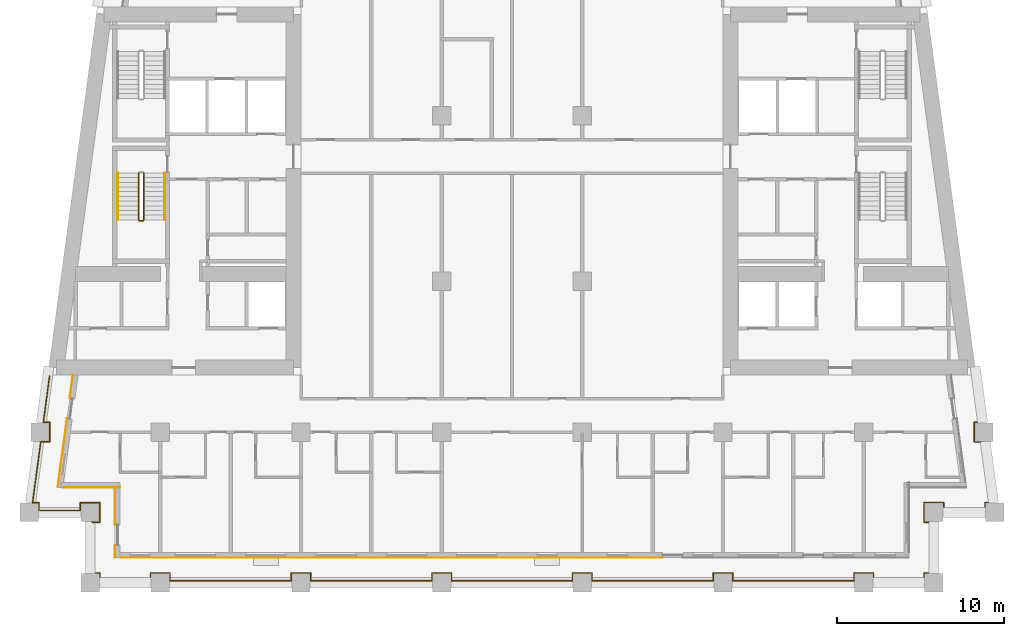
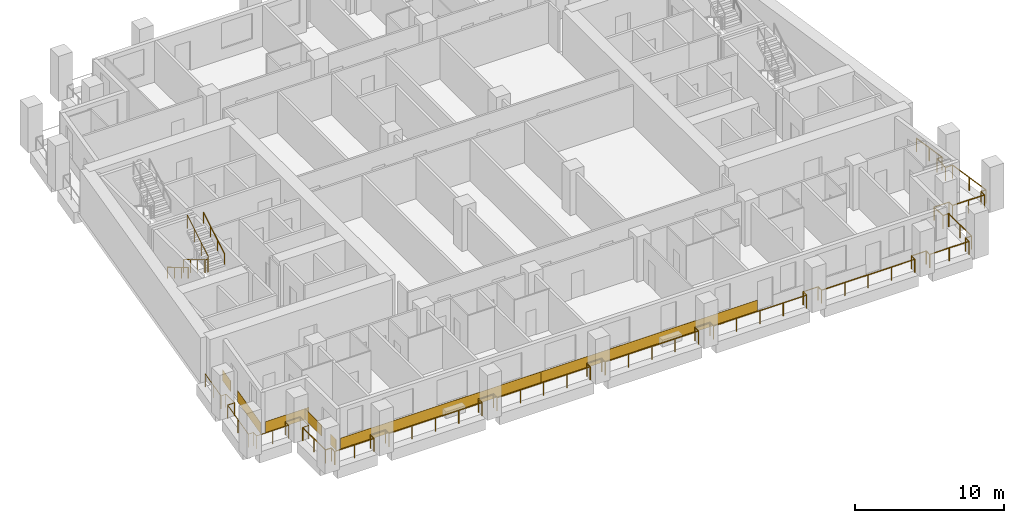
# One storey, part 10 of 14: 7 coverings, 5 railings.
"""IFC4 building model written with IfcOpenShell, lengths in metres."""

from ifc_helpers import new_model, si_unit, direction, frame, origin, origin_2d, place, context, subcontext, project, spatial, rectangle, circle, extrude, material, layer, layer_set, type_object, element, save


model = new_model("IFC4")

# Units and contexts
model_context = context("Model", 3, precision=1e-05, world=origin(), true_north=direction((0.0, 1.0)))
body_context = subcontext(model_context, "Body", "Model", "MODEL_VIEW")
ifc_project = project(units=[si_unit("LENGTHUNIT", "METRE"), si_unit("AREAUNIT", "SQUARE_METRE"), si_unit("VOLUMEUNIT", "CUBIC_METRE"), si_unit("PLANEANGLEUNIT", "RADIAN"), si_unit("MASSUNIT", "GRAM", prefix="KILO")], contexts=[model_context])

# Site, building, storey
site_placement = place(None, origin())
site = spatial("IfcSite", under=ifc_project, at=site_placement, CompositionType="ELEMENT")
building_placement = place(site_placement, origin())
building = spatial("IfcBuilding", under=site, at=building_placement, Name="Candeia Pilgrim Tower and Theatre", CompositionType="ELEMENT")
storey_placement = place(building_placement, frame((0.0, 0.0, 173.699951171875)))
storey = spatial("IfcBuildingStorey", under=building, at=storey_placement, Name="L41", CompositionType="ELEMENT", Elevation=173.699951171875)

# Railings
ifc_material_1 = material(Name="Stainless steel balustrade", Category="steel")
railing_type_1 = type_object("IfcRailingType", Name="G1 loggia guard 1100", PredefinedType="GUARDRAIL", material=ifc_material_1)
railing_1_placement = place(storey_placement, frame((88.320068359375, 101.6201171875, 0.0)))
element("IfcRailing", 1, at=railing_1_placement, inside=storey, type_object=railing_type_1, Name="Guard L41.1", PredefinedType="GUARDRAIL", context=body_context, shape_type="SweptSolid", body=[
    extrude(circle(Radius=0.02392578125, at=origin_2d()), frame((0.0, 0.0, 1.076171875), z_axis=(1.0, 0.0, 0.0), x_axis=(0.0, 1.0, 0.0)), (0.0, 0.0, 1.0), 0.4599609375),
    extrude(circle(Radius=0.02392578125, at=origin_2d()), frame((0.4599609375, 0.0, 1.076171875), z_axis=(0.0, 1.0, 0.0), x_axis=(-1.0, 0.0, 0.0)), (0.0, 0.0, 1.0), 1.159912109375),
    extrude(circle(Radius=0.02392578125, at=origin_2d()), frame((0.4599609375, 1.159912109375, 1.076171875), z_axis=(-1.0, 0.0, 0.0), x_axis=(0.0, -1.0, 0.0)), (0.0, 0.0, 1.0), 1.159912109375),
    extrude(circle(Radius=0.02392578125, at=origin_2d()), frame((-0.699951171875, 1.159912109375, 1.076171875), z_axis=(0.0, -1.0, 0.0), x_axis=(1.0, 0.0, 0.0)), (0.0, 0.0, 1.0), 0.4599609375),
    extrude(circle(Radius=0.02392578125, at=origin_2d()), frame((-0.699951171875, 0.699951171875, 1.076171875), z_axis=(-1.0, 0.0, 0.0), x_axis=(0.0, -1.0, 0.0)), (0.0, 0.0, 1.0), 2.474853515625),
    extrude(circle(Radius=0.02392578125, at=origin_2d()), frame((-3.1748046875, 0.699951171875, 1.076171875), z_axis=(0.0, 1.0, 0.0), x_axis=(-1.0, 0.0, 0.0)), (0.0, 0.0, 1.0), 0.4599609375),
    extrude(circle(Radius=0.02392578125, at=origin_2d()), frame((-3.1748046875, 1.159912109375, 1.076171875), z_axis=(-1.0, 0.0, 0.0), x_axis=(0.0, -1.0, 0.0)), (0.0, 0.0, 1.0), 0.380615234375),
    extrude(circle(Radius=0.02392578125, at=origin_2d()), frame((-3.555419921875, 1.159912109375, 1.076171875), z_axis=(0.133413267734, 0.9910604926, 0.0), x_axis=(-0.9910604926, 0.133413267734, 0.0)), (0.0, 0.0, 1.0), 3.672607421875),
    extrude(circle(Radius=0.02392578125, at=origin_2d()), frame((-3.0654296875, 4.7998046875, 1.076171875), z_axis=(1.0, 0.0, 0.0), x_axis=(0.0, 1.0, 0.0)), (0.0, 0.0, 1.0), 0.536865234375),
    extrude(circle(Radius=0.02392578125, at=origin_2d()), frame((-2.528564453125, 4.7998046875, 1.076171875), z_axis=(0.0, 1.0, 0.0), x_axis=(-1.0, 0.0, 0.0)), (0.0, 0.0, 1.0), 1.16015625),
    extrude(circle(Radius=0.02392578125, at=origin_2d()), frame((-2.528564453125, 5.9599609375, 1.076171875), z_axis=(-1.0, 0.0, 0.0), x_axis=(0.0, -1.0, 0.0)), (0.0, 0.0, 1.0), 0.380859375),
    extrude(circle(Radius=0.02392578125, at=origin_2d()), frame((-2.909423828125, 5.9599609375, 1.076171875), z_axis=(0.133468107709, 0.99105310868, 0.0), x_axis=(-0.99105310868, 0.133468107709, 0.0)), (0.0, 0.0, 1.0), 2.794921875),
    extrude(circle(Radius=0.02099609375, at=origin_2d()), origin(), (0.0, 0.0, 1.0), 1.052001953125),
    extrude(circle(Radius=0.02099609375, at=origin_2d()), frame((0.4599609375, 0.0, 0.0)), (0.0, 0.0, 1.0), 1.052001953125),
    extrude(circle(Radius=0.02099609375, at=origin_2d()), frame((0.4599609375, 1.159912109375, 0.0)), (0.0, 0.0, 1.0), 1.052001953125),
    extrude(circle(Radius=0.02099609375, at=origin_2d()), frame((-0.699951171875, 1.159912109375, 0.0)), (0.0, 0.0, 1.0), 1.052001953125),
    extrude(circle(Radius=0.02099609375, at=origin_2d()), frame((-0.699951171875, 0.699951171875, 0.0)), (0.0, 0.0, 1.0), 1.052001953125),
    extrude(circle(Radius=0.02099609375, at=origin_2d()), frame((-1.9375, 0.699951171875, 0.0)), (0.0, 0.0, 1.0), 1.052001953125),
    extrude(circle(Radius=0.02099609375, at=origin_2d()), frame((-3.1748046875, 0.699951171875, 0.0)), (0.0, 0.0, 1.0), 1.052001953125),
    extrude(circle(Radius=0.02099609375, at=origin_2d()), frame((-3.1748046875, 1.159912109375, 0.0)), (0.0, 0.0, 1.0), 1.052001953125),
    extrude(circle(Radius=0.02099609375, at=origin_2d()), frame((-3.555419921875, 1.159912109375, 0.0)), (0.0, 0.0, 1.0), 1.052001953125),
    extrude(circle(Radius=0.02099609375, at=origin_2d()), frame((-3.310546875, 2.97998046875, 0.0)), (0.0, 0.0, 1.0), 1.052001953125),
    extrude(circle(Radius=0.02099609375, at=origin_2d()), frame((-3.0654296875, 4.7998046875, 0.0)), (0.0, 0.0, 1.0), 1.052001953125),
    extrude(circle(Radius=0.02099609375, at=origin_2d()), frame((-2.528564453125, 4.7998046875, 0.0)), (0.0, 0.0, 1.0), 1.052001953125),
    extrude(circle(Radius=0.02099609375, at=origin_2d()), frame((-2.528564453125, 5.9599609375, 0.0)), (0.0, 0.0, 1.0), 1.052001953125),
    extrude(circle(Radius=0.02099609375, at=origin_2d()), frame((-2.909423828125, 5.9599609375, 0.0)), (0.0, 0.0, 1.0), 1.052001953125),
    extrude(circle(Radius=0.02099609375, at=origin_2d()), frame((-2.722900390625, 7.344970703125, 0.0)), (0.0, 0.0, 1.0), 1.052001953125),
    extrude(circle(Radius=0.02099609375, at=origin_2d()), frame((-2.536376953125, 8.72998046875, 0.0)), (0.0, 0.0, 1.0), 1.052001953125),
])
railing_2_placement = place(storey_placement, frame((141.016357421875, 110.35009765625, 0.0)))
element("IfcRailing", 2, at=railing_2_placement, inside=storey, type_object=railing_type_1, Name="Guard L41.4", PredefinedType="GUARDRAIL", context=body_context, shape_type="SweptSolid", body=[
    extrude(circle(Radius=0.02392578125, at=origin_2d()), frame((0.0, 0.0, 1.076171875), z_axis=(0.133468107709, -0.99105310868, 0.0), x_axis=(0.99105310868, 0.133468107709, 0.0)), (0.0, 0.0, 1.0), 2.794921875),
    extrude(circle(Radius=0.02392578125, at=origin_2d()), frame((0.373046875, -2.77001953125, 1.076171875), z_axis=(-1.0, 0.0, 0.0), x_axis=(0.0, -1.0, 0.0)), (0.0, 0.0, 1.0), 0.380859375),
    extrude(circle(Radius=0.02392578125, at=origin_2d()), frame((-0.0078125, -2.77001953125, 1.076171875), z_axis=(0.0, -1.0, 0.0), x_axis=(1.0, 0.0, 0.0)), (0.0, 0.0, 1.0), 1.16015625),
    extrude(circle(Radius=0.02392578125, at=origin_2d()), frame((-0.0078125, -3.93017578125, 1.076171875), z_axis=(1.0, 0.0, 0.0), x_axis=(0.0, 1.0, 0.0)), (0.0, 0.0, 1.0), 0.536865234375),
    extrude(circle(Radius=0.02392578125, at=origin_2d()), frame((0.529052734375, -3.93017578125, 1.076171875), z_axis=(0.133413267734, -0.9910604926, 0.0), x_axis=(0.9910604926, 0.133413267734, 0.0)), (0.0, 0.0, 1.0), 3.672607421875),
    extrude(circle(Radius=0.02392578125, at=origin_2d()), frame((1.01904296875, -7.570068359375, 1.076171875), z_axis=(-1.0, 0.0, 0.0), x_axis=(0.0, -1.0, 0.0)), (0.0, 0.0, 1.0), 0.380859375),
    extrude(circle(Radius=0.02392578125, at=origin_2d()), frame((0.63818359375, -7.570068359375, 1.076171875), z_axis=(0.0, -1.0, 0.0), x_axis=(1.0, 0.0, 0.0)), (0.0, 0.0, 1.0), 0.4599609375),
    extrude(circle(Radius=0.02392578125, at=origin_2d()), frame((0.63818359375, -8.030029296875, 1.076171875), z_axis=(-1.0, 0.0, 0.0), x_axis=(0.0, -1.0, 0.0)), (0.0, 0.0, 1.0), 2.474609375),
    extrude(circle(Radius=0.02392578125, at=origin_2d()), frame((-1.83642578125, -8.030029296875, 1.076171875), z_axis=(0.0, 1.0, 0.0), x_axis=(-1.0, 0.0, 0.0)), (0.0, 0.0, 1.0), 0.4599609375),
    extrude(circle(Radius=0.02392578125, at=origin_2d()), frame((-1.83642578125, -7.570068359375, 1.076171875), z_axis=(-1.0, 0.0, 0.0), x_axis=(0.0, -1.0, 0.0)), (0.0, 0.0, 1.0), 1.159912109375),
    extrude(circle(Radius=0.02392578125, at=origin_2d()), frame((-2.996337890625, -7.570068359375, 1.076171875), z_axis=(0.0, -1.0, 0.0), x_axis=(1.0, 0.0, 0.0)), (0.0, 0.0, 1.0), 1.159912109375),
    extrude(circle(Radius=0.02392578125, at=origin_2d()), frame((-2.996337890625, -8.72998046875, 1.076171875), z_axis=(1.0, 0.0, 0.0), x_axis=(0.0, 1.0, 0.0)), (0.0, 0.0, 1.0), 0.4599609375),
    extrude(circle(Radius=0.02392578125, at=origin_2d()), frame((-2.536376953125, -8.72998046875, 1.076171875), z_axis=(0.0, -1.0, 0.0), x_axis=(1.0, 0.0, 0.0)), (0.0, 0.0, 1.0), 3.0400390625),
    extrude(circle(Radius=0.02392578125, at=origin_2d()), frame((-2.536376953125, -11.77001953125, 1.076171875), z_axis=(-1.0, 0.0, 0.0), x_axis=(0.0, -1.0, 0.0)), (0.0, 0.0, 1.0), 0.4599609375),
    extrude(circle(Radius=0.02392578125, at=origin_2d()), frame((-2.996337890625, -11.77001953125, 1.076171875), z_axis=(0.0, -1.0, 0.0), x_axis=(1.0, 0.0, 0.0)), (0.0, 0.0, 1.0), 0.4599609375),
    extrude(circle(Radius=0.02392578125, at=origin_2d()), frame((-2.996337890625, -12.22998046875, 1.076171875), z_axis=(-1.0, 0.0, 0.0), x_axis=(0.0, -1.0, 0.0)), (0.0, 0.0, 1.0), 3.0400390625),
    extrude(circle(Radius=0.02392578125, at=origin_2d()), frame((-6.036376953125, -12.22998046875, 1.076171875), z_axis=(0.0, 1.0, 0.0), x_axis=(-1.0, 0.0, 0.0)), (0.0, 0.0, 1.0), 0.4599609375),
    extrude(circle(Radius=0.02392578125, at=origin_2d()), frame((-6.036376953125, -11.77001953125, 1.076171875), z_axis=(-1.0, 0.0, 0.0), x_axis=(0.0, -1.0, 0.0)), (0.0, 0.0, 1.0), 1.159912109375),
    extrude(circle(Radius=0.02392578125, at=origin_2d()), frame((-7.1962890625, -11.77001953125, 1.076171875), z_axis=(0.0, -1.0, 0.0), x_axis=(1.0, 0.0, 0.0)), (0.0, 0.0, 1.0), 0.4599609375),
    extrude(circle(Radius=0.02392578125, at=origin_2d()), frame((-7.1962890625, -12.22998046875, 1.076171875), z_axis=(-1.0, 0.0, 0.0), x_axis=(0.0, -1.0, 0.0)), (0.0, 0.0, 1.0), 7.239990234375),
    extrude(circle(Radius=0.02392578125, at=origin_2d()), frame((-14.436279296875, -12.22998046875, 1.076171875), z_axis=(0.0, 1.0, 0.0), x_axis=(-1.0, 0.0, 0.0)), (0.0, 0.0, 1.0), 0.4599609375),
    extrude(circle(Radius=0.02392578125, at=origin_2d()), frame((-14.436279296875, -11.77001953125, 1.076171875), z_axis=(-1.0, 0.0, 0.0), x_axis=(0.0, -1.0, 0.0)), (0.0, 0.0, 1.0), 1.16015625),
    extrude(circle(Radius=0.02392578125, at=origin_2d()), frame((-15.596435546875, -11.77001953125, 1.076171875), z_axis=(0.0, -1.0, 0.0), x_axis=(1.0, 0.0, 0.0)), (0.0, 0.0, 1.0), 0.4599609375),
    extrude(circle(Radius=0.02392578125, at=origin_2d()), frame((-15.596435546875, -12.22998046875, 1.076171875), z_axis=(-1.0, 0.0, 0.0), x_axis=(0.0, -1.0, 0.0)), (0.0, 0.0, 1.0), 7.239990234375),
    extrude(circle(Radius=0.02392578125, at=origin_2d()), frame((-22.83642578125, -12.22998046875, 1.076171875), z_axis=(0.0, 1.0, 0.0), x_axis=(-1.0, 0.0, 0.0)), (0.0, 0.0, 1.0), 0.4599609375),
    extrude(circle(Radius=0.02392578125, at=origin_2d()), frame((-22.83642578125, -11.77001953125, 1.076171875), z_axis=(-1.0, 0.0, 0.0), x_axis=(0.0, -1.0, 0.0)), (0.0, 0.0, 1.0), 1.159912109375),
    extrude(circle(Radius=0.02392578125, at=origin_2d()), frame((-23.996337890625, -11.77001953125, 1.076171875), z_axis=(0.0, -1.0, 0.0), x_axis=(1.0, 0.0, 0.0)), (0.0, 0.0, 1.0), 0.4599609375),
    extrude(circle(Radius=0.02392578125, at=origin_2d()), frame((-23.996337890625, -12.22998046875, 1.076171875), z_axis=(-1.0, 0.0, 0.0), x_axis=(0.0, -1.0, 0.0)), (0.0, 0.0, 1.0), 7.239990234375),
    extrude(circle(Radius=0.02392578125, at=origin_2d()), frame((-31.236328125, -12.22998046875, 1.076171875), z_axis=(0.0, 1.0, 0.0), x_axis=(-1.0, 0.0, 0.0)), (0.0, 0.0, 1.0), 0.4599609375),
    extrude(circle(Radius=0.02392578125, at=origin_2d()), frame((-31.236328125, -11.77001953125, 1.076171875), z_axis=(-1.0, 0.0, 0.0), x_axis=(0.0, -1.0, 0.0)), (0.0, 0.0, 1.0), 1.159912109375),
    extrude(circle(Radius=0.02392578125, at=origin_2d()), frame((-32.396240234375, -11.77001953125, 1.076171875), z_axis=(0.0, -1.0, 0.0), x_axis=(1.0, 0.0, 0.0)), (0.0, 0.0, 1.0), 0.4599609375),
    extrude(circle(Radius=0.02392578125, at=origin_2d()), frame((-32.396240234375, -12.22998046875, 1.076171875), z_axis=(-1.0, 0.0, 0.0), x_axis=(0.0, -1.0, 0.0)), (0.0, 0.0, 1.0), 7.240234375),
    extrude(circle(Radius=0.02392578125, at=origin_2d()), frame((-39.636474609375, -12.22998046875, 1.076171875), z_axis=(0.0, 1.0, 0.0), x_axis=(-1.0, 0.0, 0.0)), (0.0, 0.0, 1.0), 0.4599609375),
    extrude(circle(Radius=0.02392578125, at=origin_2d()), frame((-39.636474609375, -11.77001953125, 1.076171875), z_axis=(-1.0, 0.0, 0.0), x_axis=(0.0, -1.0, 0.0)), (0.0, 0.0, 1.0), 1.159912109375),
    extrude(circle(Radius=0.02392578125, at=origin_2d()), frame((-40.79638671875, -11.77001953125, 1.076171875), z_axis=(0.0, -1.0, 0.0), x_axis=(1.0, 0.0, 0.0)), (0.0, 0.0, 1.0), 0.4599609375),
    extrude(circle(Radius=0.02392578125, at=origin_2d()), frame((-40.79638671875, -12.22998046875, 1.076171875), z_axis=(-1.0, 0.0, 0.0), x_axis=(0.0, -1.0, 0.0)), (0.0, 0.0, 1.0), 7.239990234375),
    extrude(circle(Radius=0.02392578125, at=origin_2d()), frame((-48.036376953125, -12.22998046875, 1.076171875), z_axis=(0.0, 1.0, 0.0), x_axis=(-1.0, 0.0, 0.0)), (0.0, 0.0, 1.0), 0.4599609375),
    extrude(circle(Radius=0.02392578125, at=origin_2d()), frame((-48.036376953125, -11.77001953125, 1.076171875), z_axis=(-1.0, 0.0, 0.0), x_axis=(0.0, -1.0, 0.0)), (0.0, 0.0, 1.0), 1.159912109375),
    extrude(circle(Radius=0.02392578125, at=origin_2d()), frame((-49.1962890625, -11.77001953125, 1.076171875), z_axis=(0.0, -1.0, 0.0), x_axis=(1.0, 0.0, 0.0)), (0.0, 0.0, 1.0), 0.4599609375),
    extrude(circle(Radius=0.02392578125, at=origin_2d()), frame((-49.1962890625, -12.22998046875, 1.076171875), z_axis=(-1.0, 0.0, 0.0), x_axis=(0.0, -1.0, 0.0)), (0.0, 0.0, 1.0), 3.0400390625),
    extrude(circle(Radius=0.02392578125, at=origin_2d()), frame((-52.236328125, -12.22998046875, 1.076171875), z_axis=(0.0, 1.0, 0.0), x_axis=(-1.0, 0.0, 0.0)), (0.0, 0.0, 1.0), 0.4599609375),
    extrude(circle(Radius=0.02392578125, at=origin_2d()), frame((-52.236328125, -11.77001953125, 1.076171875), z_axis=(-1.0, 0.0, 0.0), x_axis=(0.0, -1.0, 0.0)), (0.0, 0.0, 1.0), 0.4599609375),
    extrude(circle(Radius=0.02392578125, at=origin_2d()), frame((-52.6962890625, -11.77001953125, 1.076171875), z_axis=(0.0, 1.0, 0.0), x_axis=(-1.0, 0.0, 0.0)), (0.0, 0.0, 1.0), 3.0400390625),
    extrude(circle(Radius=0.02099609375, at=origin_2d()), origin(), (0.0, 0.0, 1.0), 1.052001953125),
    extrude(circle(Radius=0.02099609375, at=origin_2d()), frame((0.1865234375, -1.385009765625, 0.0)), (0.0, 0.0, 1.0), 1.052001953125),
    extrude(circle(Radius=0.02099609375, at=origin_2d()), frame((0.373046875, -2.77001953125, 0.0)), (0.0, 0.0, 1.0), 1.052001953125),
    extrude(circle(Radius=0.02099609375, at=origin_2d()), frame((-0.0078125, -2.77001953125, 0.0)), (0.0, 0.0, 1.0), 1.052001953125),
    extrude(circle(Radius=0.02099609375, at=origin_2d()), frame((-0.0078125, -3.93017578125, 0.0)), (0.0, 0.0, 1.0), 1.052001953125),
    extrude(circle(Radius=0.02099609375, at=origin_2d()), frame((0.529052734375, -3.93017578125, 0.0)), (0.0, 0.0, 1.0), 1.052001953125),
    extrude(circle(Radius=0.02099609375, at=origin_2d()), frame((0.77392578125, -5.75, 0.0)), (0.0, 0.0, 1.0), 1.052001953125),
    extrude(circle(Radius=0.02099609375, at=origin_2d()), frame((1.01904296875, -7.570068359375, 0.0)), (0.0, 0.0, 1.0), 1.052001953125),
    extrude(circle(Radius=0.02099609375, at=origin_2d()), frame((0.63818359375, -7.570068359375, 0.0)), (0.0, 0.0, 1.0), 1.052001953125),
    extrude(circle(Radius=0.02099609375, at=origin_2d()), frame((0.63818359375, -8.030029296875, 0.0)), (0.0, 0.0, 1.0), 1.052001953125),
    extrude(circle(Radius=0.02099609375, at=origin_2d()), frame((-0.59912109375, -8.030029296875, 0.0)), (0.0, 0.0, 1.0), 1.052001953125),
    extrude(circle(Radius=0.02099609375, at=origin_2d()), frame((-1.83642578125, -8.030029296875, 0.0)), (0.0, 0.0, 1.0), 1.052001953125),
    extrude(circle(Radius=0.02099609375, at=origin_2d()), frame((-1.83642578125, -7.570068359375, 0.0)), (0.0, 0.0, 1.0), 1.052001953125),
    extrude(circle(Radius=0.02099609375, at=origin_2d()), frame((-2.996337890625, -7.570068359375, 0.0)), (0.0, 0.0, 1.0), 1.052001953125),
    extrude(circle(Radius=0.02099609375, at=origin_2d()), frame((-2.996337890625, -8.72998046875, 0.0)), (0.0, 0.0, 1.0), 1.052001953125),
    extrude(circle(Radius=0.02099609375, at=origin_2d()), frame((-2.536376953125, -8.72998046875, 0.0)), (0.0, 0.0, 1.0), 1.052001953125),
    extrude(circle(Radius=0.02099609375, at=origin_2d()), frame((-2.536376953125, -10.25, 0.0)), (0.0, 0.0, 1.0), 1.052001953125),
    extrude(circle(Radius=0.02099609375, at=origin_2d()), frame((-2.536376953125, -11.77001953125, 0.0)), (0.0, 0.0, 1.0), 1.052001953125),
    extrude(circle(Radius=0.02099609375, at=origin_2d()), frame((-2.996337890625, -11.77001953125, 0.0)), (0.0, 0.0, 1.0), 1.052001953125),
    extrude(circle(Radius=0.02099609375, at=origin_2d()), frame((-2.996337890625, -12.22998046875, 0.0)), (0.0, 0.0, 1.0), 1.052001953125),
    extrude(circle(Radius=0.02099609375, at=origin_2d()), frame((-4.516357421875, -12.22998046875, 0.0)), (0.0, 0.0, 1.0), 1.052001953125),
    extrude(circle(Radius=0.02099609375, at=origin_2d()), frame((-6.036376953125, -12.22998046875, 0.0)), (0.0, 0.0, 1.0), 1.052001953125),
    extrude(circle(Radius=0.02099609375, at=origin_2d()), frame((-6.036376953125, -11.77001953125, 0.0)), (0.0, 0.0, 1.0), 1.052001953125),
    extrude(circle(Radius=0.02099609375, at=origin_2d()), frame((-7.1962890625, -11.77001953125, 0.0)), (0.0, 0.0, 1.0), 1.052001953125),
    extrude(circle(Radius=0.02099609375, at=origin_2d()), frame((-7.1962890625, -12.22998046875, 0.0)), (0.0, 0.0, 1.0), 1.052001953125),
    extrude(circle(Radius=0.02099609375, at=origin_2d()), frame((-9.00634765625, -12.22998046875, 0.0)), (0.0, 0.0, 1.0), 1.052001953125),
    extrude(circle(Radius=0.02099609375, at=origin_2d()), frame((-10.81640625, -12.22998046875, 0.0)), (0.0, 0.0, 1.0), 1.052001953125),
    extrude(circle(Radius=0.02099609375, at=origin_2d()), frame((-12.626220703125, -12.22998046875, 0.0)), (0.0, 0.0, 1.0), 1.052001953125),
    extrude(circle(Radius=0.02099609375, at=origin_2d()), frame((-14.436279296875, -12.22998046875, 0.0)), (0.0, 0.0, 1.0), 1.052001953125),
    extrude(circle(Radius=0.02099609375, at=origin_2d()), frame((-14.436279296875, -11.77001953125, 0.0)), (0.0, 0.0, 1.0), 1.052001953125),
    extrude(circle(Radius=0.02099609375, at=origin_2d()), frame((-15.596435546875, -11.77001953125, 0.0)), (0.0, 0.0, 1.0), 1.052001953125),
    extrude(circle(Radius=0.02099609375, at=origin_2d()), frame((-15.596435546875, -12.22998046875, 0.0)), (0.0, 0.0, 1.0), 1.052001953125),
    extrude(circle(Radius=0.02099609375, at=origin_2d()), frame((-17.406494140625, -12.22998046875, 0.0)), (0.0, 0.0, 1.0), 1.052001953125),
    extrude(circle(Radius=0.02099609375, at=origin_2d()), frame((-19.21630859375, -12.22998046875, 0.0)), (0.0, 0.0, 1.0), 1.052001953125),
    extrude(circle(Radius=0.02099609375, at=origin_2d()), frame((-21.0263671875, -12.22998046875, 0.0)), (0.0, 0.0, 1.0), 1.052001953125),
    extrude(circle(Radius=0.02099609375, at=origin_2d()), frame((-22.83642578125, -12.22998046875, 0.0)), (0.0, 0.0, 1.0), 1.052001953125),
    extrude(circle(Radius=0.02099609375, at=origin_2d()), frame((-22.83642578125, -11.77001953125, 0.0)), (0.0, 0.0, 1.0), 1.052001953125),
    extrude(circle(Radius=0.02099609375, at=origin_2d()), frame((-23.996337890625, -11.77001953125, 0.0)), (0.0, 0.0, 1.0), 1.052001953125),
    extrude(circle(Radius=0.02099609375, at=origin_2d()), frame((-23.996337890625, -12.22998046875, 0.0)), (0.0, 0.0, 1.0), 1.052001953125),
    extrude(circle(Radius=0.02099609375, at=origin_2d()), frame((-25.806396484375, -12.22998046875, 0.0)), (0.0, 0.0, 1.0), 1.052001953125),
    extrude(circle(Radius=0.02099609375, at=origin_2d()), frame((-27.6162109375, -12.22998046875, 0.0)), (0.0, 0.0, 1.0), 1.052001953125),
    extrude(circle(Radius=0.02099609375, at=origin_2d()), frame((-29.42626953125, -12.22998046875, 0.0)), (0.0, 0.0, 1.0), 1.052001953125),
    extrude(circle(Radius=0.02099609375, at=origin_2d()), frame((-31.236328125, -12.22998046875, 0.0)), (0.0, 0.0, 1.0), 1.052001953125),
    extrude(circle(Radius=0.02099609375, at=origin_2d()), frame((-31.236328125, -11.77001953125, 0.0)), (0.0, 0.0, 1.0), 1.052001953125),
    extrude(circle(Radius=0.02099609375, at=origin_2d()), frame((-32.396240234375, -11.77001953125, 0.0)), (0.0, 0.0, 1.0), 1.052001953125),
    extrude(circle(Radius=0.02099609375, at=origin_2d()), frame((-32.396240234375, -12.22998046875, 0.0)), (0.0, 0.0, 1.0), 1.052001953125),
    extrude(circle(Radius=0.02099609375, at=origin_2d()), frame((-34.206298828125, -12.22998046875, 0.0)), (0.0, 0.0, 1.0), 1.052001953125),
    extrude(circle(Radius=0.02099609375, at=origin_2d()), frame((-36.016357421875, -12.22998046875, 0.0)), (0.0, 0.0, 1.0), 1.052001953125),
    extrude(circle(Radius=0.02099609375, at=origin_2d()), frame((-37.826416015625, -12.22998046875, 0.0)), (0.0, 0.0, 1.0), 1.052001953125),
    extrude(circle(Radius=0.02099609375, at=origin_2d()), frame((-39.636474609375, -12.22998046875, 0.0)), (0.0, 0.0, 1.0), 1.052001953125),
    extrude(circle(Radius=0.02099609375, at=origin_2d()), frame((-39.636474609375, -11.77001953125, 0.0)), (0.0, 0.0, 1.0), 1.052001953125),
    extrude(circle(Radius=0.02099609375, at=origin_2d()), frame((-40.79638671875, -11.77001953125, 0.0)), (0.0, 0.0, 1.0), 1.052001953125),
    extrude(circle(Radius=0.02099609375, at=origin_2d()), frame((-40.79638671875, -12.22998046875, 0.0)), (0.0, 0.0, 1.0), 1.052001953125),
    extrude(circle(Radius=0.02099609375, at=origin_2d()), frame((-42.6064453125, -12.22998046875, 0.0)), (0.0, 0.0, 1.0), 1.052001953125),
    extrude(circle(Radius=0.02099609375, at=origin_2d()), frame((-44.41650390625, -12.22998046875, 0.0)), (0.0, 0.0, 1.0), 1.052001953125),
    extrude(circle(Radius=0.02099609375, at=origin_2d()), frame((-46.226318359375, -12.22998046875, 0.0)), (0.0, 0.0, 1.0), 1.052001953125),
    extrude(circle(Radius=0.02099609375, at=origin_2d()), frame((-48.036376953125, -12.22998046875, 0.0)), (0.0, 0.0, 1.0), 1.052001953125),
    extrude(circle(Radius=0.02099609375, at=origin_2d()), frame((-48.036376953125, -11.77001953125, 0.0)), (0.0, 0.0, 1.0), 1.052001953125),
    extrude(circle(Radius=0.02099609375, at=origin_2d()), frame((-49.1962890625, -11.77001953125, 0.0)), (0.0, 0.0, 1.0), 1.052001953125),
    extrude(circle(Radius=0.02099609375, at=origin_2d()), frame((-49.1962890625, -12.22998046875, 0.0)), (0.0, 0.0, 1.0), 1.052001953125),
    extrude(circle(Radius=0.02099609375, at=origin_2d()), frame((-50.71630859375, -12.22998046875, 0.0)), (0.0, 0.0, 1.0), 1.052001953125),
    extrude(circle(Radius=0.02099609375, at=origin_2d()), frame((-52.236328125, -12.22998046875, 0.0)), (0.0, 0.0, 1.0), 1.052001953125),
    extrude(circle(Radius=0.02099609375, at=origin_2d()), frame((-52.236328125, -11.77001953125, 0.0)), (0.0, 0.0, 1.0), 1.052001953125),
    extrude(circle(Radius=0.02099609375, at=origin_2d()), frame((-52.6962890625, -11.77001953125, 0.0)), (0.0, 0.0, 1.0), 1.052001953125),
    extrude(circle(Radius=0.02099609375, at=origin_2d()), frame((-52.6962890625, -10.25, 0.0)), (0.0, 0.0, 1.0), 1.052001953125),
    extrude(circle(Radius=0.02099609375, at=origin_2d()), frame((-52.6962890625, -8.72998046875, 0.0)), (0.0, 0.0, 1.0), 1.052001953125),
])

# Coverings
ifc_material_2 = material(Name="Glazed ceramic tile red")
ifc_layer_1 = layer(ifc_material_2, 0.02001953125)
ifc_layer_set_1 = layer_set([ifc_layer_1], Name="Glazed ceramic tile red")
covering_type_1 = type_object("IfcCoveringType", Name="Glazed ceramic tile red", PredefinedType="CLADDING", material=ifc_layer_set_1)
covering_1_placement = place(storey_placement, frame((114.0, 99.489990234375, 0.0), z_axis=(0.0, 0.0, 1.0), x_axis=(1.0, 0.0, 0.0)))
element("IfcCovering", 3, at=covering_1_placement, inside=storey, type_object=covering_type_1, Name="Tile cladding red L41", PredefinedType="CLADDING", context=body_context, shape_type="SweptSolid", body=[
    extrude(rectangle(XDim=16.800048828125, YDim=0.02001953125, at=origin_2d()), origin(), (0.0, 0.0, 1.0), 0.89990234375),
])
ifc_material_3 = material(Name="Glazed ceramic tile rust")
ifc_layer_2 = layer(ifc_material_3, 0.02001953125)
ifc_layer_set_2 = layer_set([ifc_layer_2], Name="Glazed ceramic tile rust")
covering_type_2 = type_object("IfcCoveringType", Name="Glazed ceramic tile rust", PredefinedType="CLADDING", material=ifc_layer_set_2)
covering_2_placement = place(storey_placement, frame((97.81005859375, 99.489990234375, 0.0), z_axis=(0.0, 0.0, 1.0), x_axis=(1.0, 0.0, 0.0)))
element("IfcCovering", 4, at=covering_2_placement, inside=storey, type_object=covering_type_2, Name="Tile cladding rust L41", PredefinedType="CLADDING", context=body_context, shape_type="SweptSolid", body=[
    extrude(rectangle(XDim=15.580078125, YDim=0.02001953125, at=origin_2d()), origin(), (0.0, 0.0, 1.0), 0.89990234375),
])
covering_3_placement = place(storey_placement, frame((87.0810546875, 109.71875, 0.0), z_axis=(0.0, 0.0, 1.0), x_axis=(-0.133412012145, -0.991060661622, 0.0)))
element("IfcCovering", 5, at=covering_3_placement, inside=storey, type_object=covering_type_2, Name="Tile cladding rust L41", PredefinedType="CLADDING", context=body_context, shape_type="SweptSolid", body=[
    extrude(rectangle(XDim=1.41796875, YDim=0.02001953125, at=origin_2d()), origin(), (0.0, 0.0, 1.0), 0.89990234375),
])
covering_4_placement = place(storey_placement, frame((86.548583984375, 105.763916015625, 0.0), z_axis=(0.0, 0.0, 1.0), x_axis=(-0.133412012145, -0.991060661622, 0.0)))
element("IfcCovering", 6, at=covering_4_placement, inside=storey, type_object=covering_type_2, Name="Tile cladding rust L41", PredefinedType="CLADDING", context=body_context, shape_type="SweptSolid", body=[
    extrude(rectangle(XDim=4.16259765625, YDim=0.02001953125, at=origin_2d()), origin(), (0.0, 0.0, 1.0), 0.89990234375),
])
covering_5_placement = place(storey_placement, frame((88.311279296875, 103.68994140625, 0.0), z_axis=(0.0, 0.0, 1.0), x_axis=(1.0, 0.0, 0.0)))
element("IfcCovering", 7, at=covering_5_placement, inside=storey, type_object=covering_type_2, Name="Tile cladding rust L41", PredefinedType="CLADDING", context=body_context, shape_type="SweptSolid", body=[
    extrude(rectangle(XDim=3.377685546875, YDim=0.02001953125, at=origin_2d()), origin(), (0.0, 0.0, 1.0), 0.89990234375),
])
covering_6_placement = place(storey_placement, frame((89.68994140625, 102.56494140625, 0.0), z_axis=(0.0, 0.0, 1.0), x_axis=(0.0, -1.0, 0.0)))
element("IfcCovering", 8, at=covering_6_placement, inside=storey, type_object=covering_type_2, Name="Tile cladding rust L41", PredefinedType="CLADDING", context=body_context, shape_type="SweptSolid", body=[
    extrude(rectangle(XDim=2.22998046875, YDim=0.02001953125, at=origin_2d()), origin(), (0.0, 0.0, 1.0), 0.89990234375),
])
covering_7_placement = place(storey_placement, frame((89.68994140625, 99.875, 0.0), z_axis=(0.0, 0.0, 1.0), x_axis=(0.0, -1.0, 0.0)))
element("IfcCovering", 9, at=covering_7_placement, inside=storey, type_object=covering_type_2, Name="Tile cladding rust L41", PredefinedType="CLADDING", context=body_context, shape_type="SweptSolid", body=[
    extrude(rectangle(XDim=0.75, YDim=0.02001953125, at=origin_2d()), origin(), (0.0, 0.0, 1.0), 0.89990234375),
])

# Railings
railing_type_2 = type_object("IfcRailingType", Name="RL-GUARD-1100", PredefinedType="GUARDRAIL", material=ifc_material_1)
railing_3_placement = place(storey_placement, frame((91.10205078125, 122.47509765625, 0.168212890625)))
element("IfcRailing", 10, at=railing_3_placement, inside=storey, type_object=railing_type_2, Name="L41 ST1 stair guard 1", PredefinedType="GUARDRAIL", context=body_context, shape_type="SweptSolid", body=[
    extrude(circle(Radius=0.02392578125, at=origin_2d()), frame((0.0, 0.0, 1.076171875), z_axis=(0.0, -0.857242210791, 0.514913383045), x_axis=(1.0, 0.0, 0.0)), (0.0, 0.0, 1.0), 3.266357421875),
    extrude(circle(Radius=0.02392578125, at=origin_2d()), frame((0.0, -2.800048828125, 2.7578125), z_axis=(0.707106781187, -0.707106781187, 0.0), x_axis=(0.707106781187, 0.707106781187, 0.0)), (0.0, 0.0, 1.0), 0.07080078125),
    extrude(circle(Radius=0.02392578125, at=origin_2d()), frame((0.050048828125, -2.85009765625, 2.7578125), z_axis=(1.0, 0.0, 0.0), x_axis=(0.0, 1.0, 0.0)), (0.0, 0.0, 1.0), 0.199951171875),
    extrude(circle(Radius=0.02392578125, at=origin_2d()), frame((0.25, -2.85009765625, 2.7578125), z_axis=(0.274243871929, 0.274243871929, 0.92172696468), x_axis=(-0.707106781187, 0.707106781187, 0.0)), (0.0, 0.0, 1.0), 0.1826171875),
    extrude(circle(Radius=0.02392578125, at=origin_2d()), frame((0.300048828125, -2.800048828125, 2.92626953125), z_axis=(0.0, 0.857275202839, 0.514858452973), x_axis=(-1.0, 0.0, 0.0)), (0.0, 0.0, 1.0), 3.26611328125),
    extrude(circle(Radius=0.02099609375, at=origin_2d()), origin(), (0.0, 0.0, 1.0), 1.052001953125),
    extrude(circle(Radius=0.02099609375, at=origin_2d()), frame((0.0, -0.933349609375, 0.560546875)), (0.0, 0.0, 1.0), 1.052001953125),
    extrude(circle(Radius=0.02099609375, at=origin_2d()), frame((0.0, -1.86669921875, 1.121337890625)), (0.0, 0.0, 1.0), 1.052001953125),
    extrude(circle(Radius=0.02099609375, at=origin_2d()), frame((0.0, -2.800048828125, 1.681884765625)), (0.0, 0.0, 1.0), 1.052001953125),
    extrude(circle(Radius=0.02099609375, at=origin_2d()), frame((0.050048828125, -2.85009765625, 1.681884765625)), (0.0, 0.0, 1.0), 1.052001953125),
    extrude(circle(Radius=0.02099609375, at=origin_2d()), frame((0.25, -2.85009765625, 1.681884765625)), (0.0, 0.0, 1.0), 1.052001953125),
    extrude(circle(Radius=0.02099609375, at=origin_2d()), frame((0.300048828125, -2.800048828125, 1.85009765625)), (0.0, 0.0, 1.0), 1.052001953125),
    extrude(circle(Radius=0.02099609375, at=origin_2d()), frame((0.300048828125, -1.86669921875, 2.41064453125)), (0.0, 0.0, 1.0), 1.052001953125),
    extrude(circle(Radius=0.02099609375, at=origin_2d()), frame((0.300048828125, -0.933349609375, 2.97119140625)), (0.0, 0.0, 1.0), 1.052001953125),
    extrude(circle(Radius=0.02099609375, at=origin_2d()), frame((0.300048828125, 0.0, 3.53173828125)), (0.0, 0.0, 1.0), 1.052001953125),
])
ifc_material_4 = material(Name="Stainless steel handrail", Category="steel")
railing_type_3 = type_object("IfcRailingType", Name="RL-HANDRAIL-900", PredefinedType="HANDRAIL", material=ifc_material_4)
railing_4_placement = place(storey_placement, frame((89.85205078125, 122.47509765625, 0.168212890625)))
element("IfcRailing", 11, at=railing_4_placement, inside=storey, type_object=railing_type_3, Name="L41 ST1 stair handrail 1", PredefinedType="HANDRAIL", context=body_context, shape_type="SweptSolid", body=[
    extrude(circle(Radius=0.02392578125, at=origin_2d()), frame((0.0, 0.0, 0.8759765625), z_axis=(0.0, -0.857242210791, 0.514913383045), x_axis=(1.0, 0.0, 0.0)), (0.0, 0.0, 1.0), 3.266357421875),
    extrude(circle(Radius=0.02099609375, at=origin_2d()), origin(), (0.0, 0.0, 1.0), 0.851806640625),
    extrude(circle(Radius=0.02099609375, at=origin_2d()), frame((0.0, -0.933349609375, 0.560546875)), (0.0, 0.0, 1.0), 0.851806640625),
    extrude(circle(Radius=0.02099609375, at=origin_2d()), frame((0.0, -1.86669921875, 1.121337890625)), (0.0, 0.0, 1.0), 0.851806640625),
    extrude(circle(Radius=0.02099609375, at=origin_2d()), frame((0.0, -2.800048828125, 1.681884765625)), (0.0, 0.0, 1.0), 0.851806640625),
])
railing_5_placement = place(storey_placement, frame((92.652099609375, 119.675048828125, 2.018310546875)))
element("IfcRailing", 12, at=railing_5_placement, inside=storey, type_object=railing_type_3, Name="L41 ST1 stair handrail 2", PredefinedType="HANDRAIL", context=body_context, shape_type="SweptSolid", body=[
    extrude(circle(Radius=0.02392578125, at=origin_2d()), frame((0.0, 0.0, 0.8759765625), z_axis=(0.0, 0.857275202839, 0.514858452973), x_axis=(-1.0, 0.0, 0.0)), (0.0, 0.0, 1.0), 3.26611328125),
    extrude(circle(Radius=0.02099609375, at=origin_2d()), origin(), (0.0, 0.0, 1.0), 0.851806640625),
    extrude(circle(Radius=0.02099609375, at=origin_2d()), frame((0.0, 0.933349609375, 0.560546875)), (0.0, 0.0, 1.0), 0.851806640625),
    extrude(circle(Radius=0.02099609375, at=origin_2d()), frame((0.0, 1.86669921875, 1.12109375)), (0.0, 0.0, 1.0), 0.851806640625),
    extrude(circle(Radius=0.02099609375, at=origin_2d()), frame((0.0, 2.800048828125, 1.681640625)), (0.0, 0.0, 1.0), 0.851806640625),
])

save(model, "model.ifc")
